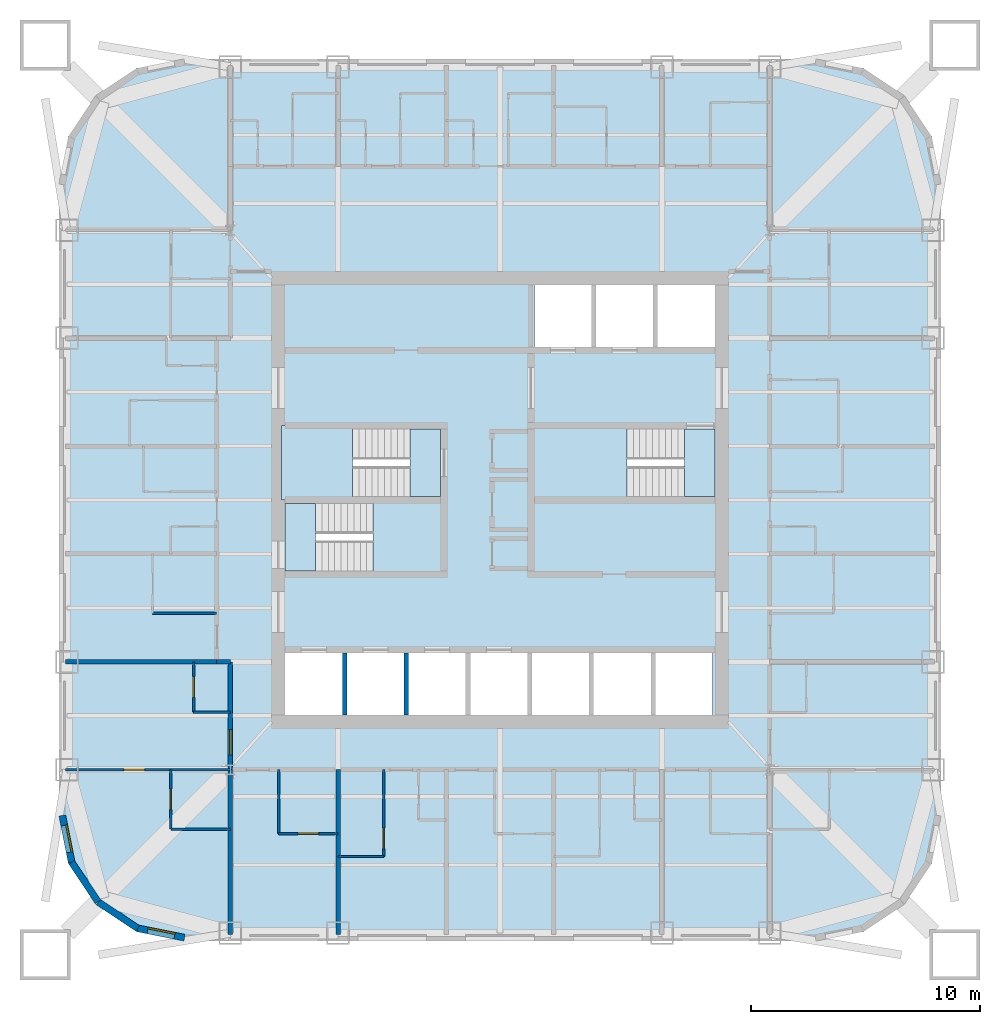
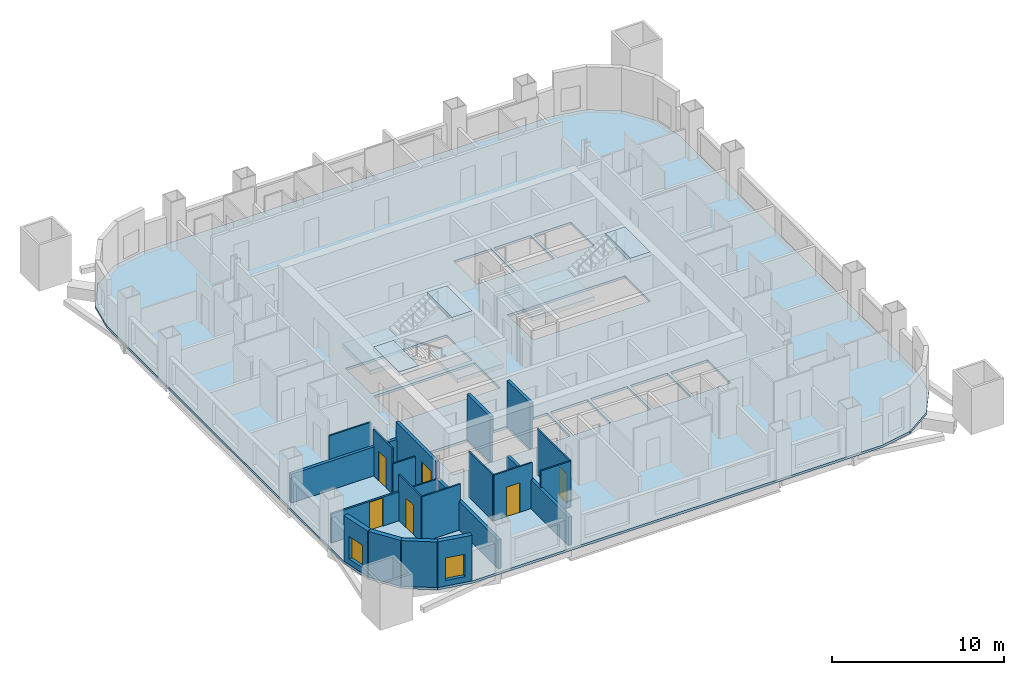
# One storey, part 2 of 9: 22 walls, 7 slabs, 6 doors, 2 windows, 8 openings, 3 elements without a shape of their own.
"""IFC4 building model written with IfcOpenShell, lengths in metres."""

from ifc_helpers import new_model, si_unit, direction, frame, frame_2d, origin, place, context, subcontext, project, spatial, polyline, rectangle, outline, extrude, material, layer, layer_set, type_object, element, fill, aggregate, save


model = new_model("IFC4")

# Units and contexts
model_context = context("Model", 3, precision=1e-05, world=origin(), true_north=direction((0.0, 1.0)))
body_context = subcontext(model_context, "Body", "Model", "MODEL_VIEW")
ifc_project = project(units=[si_unit("LENGTHUNIT", "METRE"), si_unit("AREAUNIT", "SQUARE_METRE"), si_unit("VOLUMEUNIT", "CUBIC_METRE"), si_unit("PLANEANGLEUNIT", "RADIAN"), si_unit("MASSUNIT", "GRAM", prefix="KILO")], contexts=[model_context])

# Site, building, storey
site_placement = place(None, origin())
site = spatial("IfcSite", under=ifc_project, at=site_placement, CompositionType="ELEMENT")
building_placement = place(site_placement, origin())
building = spatial("IfcBuilding", under=site, at=building_placement, Name="Turquesa Mirador Hotel Tower", CompositionType="ELEMENT")
storey_placement = place(building_placement, frame((0.0, 0.0, 217.800048828125)))
storey = spatial("IfcBuildingStorey", under=building, at=storey_placement, Name="L59", CompositionType="ELEMENT", Elevation=217.800048828125)

# Slab
ifc_material_1 = material(Name="Concrete C28/35", Category="concrete")
ifc_layer_1 = layer(ifc_material_1, 0.169921875)
ifc_layer_set_1 = layer_set([ifc_layer_1], Name="COMPOSITE FLOOR SLAB 170")
slab_type_1 = type_object("IfcSlabType", Name="COMPOSITE FLOOR SLAB 170", PredefinedType="FLOOR", material=ifc_layer_set_1)
slab_1_placement = place(storey_placement, frame((0.0, 0.0, -0.170166015625)))
element("IfcSlab", 1, at=slab_1_placement, inside=storey, type_object=slab_type_1, Name="Floor slab L59", PredefinedType="FLOOR", context=body_context, shape_type="SweptSolid", body=[
    extrude(outline(polyline([(68.800048828125, 25.699951171875), (70.90478515625, 26.11865234375), (72.689208984375, 27.310791015625), (73.88134765625, 29.09521484375), (74.300048828125, 31.199951171875), (74.300048828125, 58.800048828125), (73.88134765625, 60.90478515625), (72.689208984375, 62.689208984375), (70.90478515625, 63.88134765625), (68.800048828125, 64.300048828125), (41.199951171875, 64.300048828125), (39.09521484375, 63.88134765625), (37.310791015625, 62.689208984375), (36.11865234375, 60.90478515625), (35.699951171875, 58.800048828125), (35.699951171875, 31.199951171875), (36.11865234375, 29.09521484375), (37.310791015625, 27.310791015625), (39.09521484375, 26.11865234375), (41.199951171875, 25.699951171875), (68.800048828125, 25.699951171875)]), holes=[polyline([(56.5, 51.699951171875), (59.0, 51.699951171875), (59.0, 54.39990234375), (56.5, 54.39990234375), (56.5, 51.699951171875)]), polyline([(59.199951171875, 51.699951171875), (61.699951171875, 51.699951171875), (61.699951171875, 54.39990234375), (59.199951171875, 54.39990234375), (59.199951171875, 51.699951171875)]), polyline([(45.60009765625, 35.60009765625), (48.10009765625, 35.60009765625), (48.10009765625, 38.300048828125), (45.60009765625, 38.300048828125), (45.60009765625, 35.60009765625)]), polyline([(48.300048828125, 35.60009765625), (50.800048828125, 35.60009765625), (50.800048828125, 38.300048828125), (48.300048828125, 38.300048828125), (48.300048828125, 35.60009765625)]), polyline([(51.0, 35.60009765625), (53.5, 35.60009765625), (53.5, 38.300048828125), (51.0, 38.300048828125), (51.0, 35.60009765625)]), polyline([(53.699951171875, 35.60009765625), (56.199951171875, 35.60009765625), (56.199951171875, 38.300048828125), (53.699951171875, 38.300048828125), (53.699951171875, 35.60009765625)]), polyline([(56.39990234375, 35.60009765625), (58.89990234375, 35.60009765625), (58.89990234375, 38.300048828125), (56.39990234375, 38.300048828125), (56.39990234375, 35.60009765625)]), polyline([(59.10009765625, 35.60009765625), (61.60009765625, 35.60009765625), (61.60009765625, 38.300048828125), (59.10009765625, 38.300048828125), (59.10009765625, 35.60009765625)]), polyline([(61.800048828125, 35.60009765625), (64.300048828125, 35.60009765625), (64.300048828125, 38.300048828125), (61.800048828125, 38.300048828125), (61.800048828125, 35.60009765625)]), polyline([(45.60009765625, 45.14990234375), (52.39990234375, 45.14990234375), (52.39990234375, 48.10009765625), (45.60009765625, 48.10009765625), (45.60009765625, 45.14990234375)]), polyline([(45.60009765625, 41.89990234375), (52.39990234375, 41.89990234375), (52.39990234375, 44.85009765625), (45.60009765625, 44.85009765625), (45.60009765625, 41.89990234375)]), polyline([(56.5, 45.14990234375), (64.39990234375, 45.14990234375), (64.39990234375, 48.10009765625), (56.5, 48.10009765625), (56.5, 45.14990234375)]), polyline([(61.89990234375, 51.699951171875), (64.39990234375, 51.699951171875), (64.39990234375, 54.39990234375), (61.89990234375, 54.39990234375), (61.89990234375, 51.699951171875)])]), origin(), (0.0, 0.0, 1.0), 0.170166015625),
])

# Stair, slabs
ifc_material_2 = material(Name="Concrete C35/45", Category="concrete")
stair_type = type_object("IfcStairType", Name="ESCAPE STAIR CORE", PredefinedType="HALF_TURN_STAIR", material=ifc_material_2)
stair_1_placement = place(storey_placement, origin())
stair_1 = element("IfcStair", 2, at=stair_1_placement, inside=storey, type_object=stair_type, Name="Stair ST1 L59 to L60", PredefinedType="HALF_TURN_STAIR")
ifc_material_3 = material(Name="Concrete C35/45", Category="concrete")
ifc_layer_2 = layer(ifc_material_3, 0.300048828125)
ifc_layer_set_2 = layer_set([ifc_layer_2], Name="STAIR LANDING 300")
slab_type_2 = type_object("IfcSlabType", Name="STAIR LANDING 300", PredefinedType="LANDING", material=ifc_layer_set_2)
slab_2_placement = place(storey_placement, frame((0.0, 0.0, 1.449951171875)))
slab_2 = element("IfcSlab", 3, at=slab_2_placement, type_object=slab_type_2, Name="ST1 landing 1", PredefinedType="LANDING", context=body_context, shape_type="SweptSolid", body=[
    extrude(outline(polyline([(45.449951171875, 45.0), (48.550048828125, 45.0), (48.550048828125, 48.25), (45.449951171875, 48.25), (45.449951171875, 45.0)])), origin(), (0.0, 0.0, 1.0), 0.300048828125),
])
slab_3_placement = place(storey_placement, frame((0.0, 0.0, 3.199951171875)))
slab_3 = element("IfcSlab", 4, at=slab_3_placement, type_object=slab_type_2, Name="ST1 landing 2", PredefinedType="LANDING", context=body_context, shape_type="SweptSolid", body=[
    extrude(outline(polyline([(51.070068359375, 45.14990234375), (52.39990234375, 45.14990234375), (52.39990234375, 48.10009765625), (51.070068359375, 48.10009765625), (51.070068359375, 45.14990234375)])), origin(), (0.0, 0.0, 1.0), 0.300048828125),
])
aggregate(stair_1, [slab_2, slab_3])

stair_2_placement = place(storey_placement, origin())
stair_2 = element("IfcStair", 5, at=stair_2_placement, inside=storey, type_object=stair_type, Name="Stair ST2 L59 to L60", PredefinedType="HALF_TURN_STAIR")
slab_4_placement = place(storey_placement, frame((0.0, 0.0, 1.449951171875)))
slab_4 = element("IfcSlab", 6, at=slab_4_placement, type_object=slab_type_2, Name="ST2 landing 1", PredefinedType="LANDING", context=body_context, shape_type="SweptSolid", body=[
    extrude(outline(polyline([(52.550048828125, 45.0), (49.449951171875, 45.0), (49.449951171875, 41.75), (52.550048828125, 41.75), (52.550048828125, 45.0)])), origin(), (0.0, 0.0, 1.0), 0.300048828125),
])
slab_5_placement = place(storey_placement, frame((0.0, 0.0, 3.199951171875)))
slab_5 = element("IfcSlab", 7, at=slab_5_placement, type_object=slab_type_2, Name="ST2 landing 2", PredefinedType="LANDING", context=body_context, shape_type="SweptSolid", body=[
    extrude(outline(polyline([(46.929931640625, 44.85009765625), (45.60009765625, 44.85009765625), (45.60009765625, 41.89990234375), (46.929931640625, 41.89990234375), (46.929931640625, 44.85009765625)])), origin(), (0.0, 0.0, 1.0), 0.300048828125),
])
aggregate(stair_2, [slab_4, slab_5])

stair_3_placement = place(storey_placement, origin())
stair_3 = element("IfcStair", 8, at=stair_3_placement, inside=storey, type_object=stair_type, Name="Stair ST3 L59 to L60", PredefinedType="HALF_TURN_STAIR")
slab_6_placement = place(storey_placement, frame((0.0, 0.0, 1.449951171875)))
slab_6 = element("IfcSlab", 9, at=slab_6_placement, type_object=slab_type_2, Name="ST3 landing 1", PredefinedType="LANDING", context=body_context, shape_type="SweptSolid", body=[
    extrude(outline(polyline([(56.35009765625, 45.0), (60.550048828125, 45.0), (60.550048828125, 48.25), (56.35009765625, 48.25), (56.35009765625, 45.0)])), origin(), (0.0, 0.0, 1.0), 0.300048828125),
])
slab_7_placement = place(storey_placement, frame((0.0, 0.0, 3.199951171875)))
slab_7 = element("IfcSlab", 10, at=slab_7_placement, type_object=slab_type_2, Name="ST3 landing 2", PredefinedType="LANDING", context=body_context, shape_type="SweptSolid", body=[
    extrude(outline(polyline([(63.070068359375, 45.14990234375), (64.39990234375, 45.14990234375), (64.39990234375, 48.10009765625), (63.070068359375, 48.10009765625), (63.070068359375, 45.14990234375)])), origin(), (0.0, 0.0, 1.0), 0.300048828125),
])
aggregate(stair_3, [slab_6, slab_7])

# Walls
ifc_material_4 = material(Name="Gypsum board on steel studs", Category="steel")
ifc_layer_3 = layer(ifc_material_4, 0.10009765625)
ifc_layer_set_3 = layer_set([ifc_layer_3], Name="BATHROOM WALL 100")
wall_type_1 = type_object("IfcWallType", Name="BATHROOM WALL 100", PredefinedType="PARTITIONING", material=ifc_layer_set_3)
wall_1_placement = place(storey_placement, frame((40.60009765625, 33.199951171875, 0.0), z_axis=(0.0, 0.0, 1.0), x_axis=(1.0, 0.0, 0.0)))
element("IfcWall", 11, at=wall_1_placement, inside=storey, type_object=wall_type_1, Name="Partition L59 003", PredefinedType="PARTITIONING", context=body_context, shape_type="SweptSolid", body=[
    extrude(rectangle(XDim=2.599853515625, YDim=0.10009765625, at=frame_2d((1.2998046875, 0.0))), origin(), (0.0, 0.0, 1.0), 2.050048828125),
])
wall_2_placement = place(storey_placement, frame((40.60009765625, 30.60009765625, 0.0), z_axis=(0.0, 0.0, 1.0), x_axis=(1.0, 0.0, 0.0)))
element("IfcWall", 12, at=wall_2_placement, inside=storey, type_object=wall_type_1, Name="Partition L59 010", PredefinedType="PARTITIONING", context=body_context, shape_type="SweptSolid", body=[
    extrude(rectangle(XDim=2.599853515625, YDim=0.10009765625, at=frame_2d((1.2998046875, 0.0))), origin(), (0.0, 0.0, 1.0), 3.25),
])

# Wall, opening, door
wall_3_placement = place(storey_placement, frame((45.320068359375, 30.39990234375, 0.0), z_axis=(0.0, 0.0, 1.0), x_axis=(1.0, 0.0, 0.0)))
wall_3 = element("IfcWall", 13, at=wall_3_placement, inside=storey, type_object=wall_type_1, Name="Partition L59 012", PredefinedType="PARTITIONING", context=body_context, shape_type="SweptSolid", body=[
    extrude(rectangle(XDim=2.599853515625, YDim=0.10009765625, at=frame_2d((1.2998046875, 0.0))), origin(), (0.0, 0.0, 1.0), 3.25),
])
opening_1_placement = place(wall_3_placement, frame((0.85009765625, 0.0, 0.0)))
opening_1 = element("IfcOpeningElement", 14, at=opening_1_placement, cuts=wall_3, Name="Opening D02", PredefinedType="OPENING", context=body_context, shape_type="SweptSolid", body=[
    extrude(rectangle(XDim=0.89990234375, YDim=2.10009765625, at=frame_2d((0.449951171875, 1.050048828125))), frame((0.0, 0.06005859375, 0.0), z_axis=(0.0, -1.0, 0.0), x_axis=(1.0, 0.0, 0.0)), (0.0, 0.0, 1.0), 0.1201171875),
])
ifc_material_5 = material(Name="Timber veneered door", Category="wood")
door_type_1 = type_object("IfcDoorType", Name="DOOR 900X2100 EN-SUITE", OperationType="SINGLE_SWING_RIGHT", PredefinedType="DOOR", material=ifc_material_5)
door_1_placement = place(opening_1_placement, origin())
door_1 = element("IfcDoor", 15, at=door_1_placement, inside=storey, type_object=door_type_1, Name="Door 5906B", OperationType="SINGLE_SWING_RIGHT", OverallHeight=2.10009765625, OverallWidth=0.89990234375, PredefinedType="DOOR", context=body_context, shape_type="SweptSolid", body=[
    extrude(rectangle(XDim=0.89990234375, YDim=2.10009765625, at=frame_2d((0.449951171875, 1.050048828125))), frame((0.0, 0.02490234375, 0.0), z_axis=(0.0, -1.0, 0.0), x_axis=(1.0, 0.0, 0.0)), (0.0, 0.0, 1.0), 0.050048828125),
])
fill(opening_1, door_1)

# Walls
wall_4_placement = place(storey_placement, frame((47.919921875, 29.39990234375, 0.0), z_axis=(0.0, 0.0, 1.0), x_axis=(1.0, 0.0, 0.0)))
element("IfcWall", 16, at=wall_4_placement, inside=storey, type_object=wall_type_1, Name="Partition L59 015", PredefinedType="PARTITIONING", context=body_context, shape_type="SweptSolid", body=[
    extrude(rectangle(XDim=2.0, YDim=0.10009765625, at=frame_2d((1.0, 0.0))), origin(), (0.0, 0.0, 1.0), 3.25),
])
wall_5_placement = place(storey_placement, frame((39.800048828125, 40.0400390625, 0.0), z_axis=(0.0, 0.0, 1.0), x_axis=(1.0, 0.0, 0.0)))
element("IfcWall", 17, at=wall_5_placement, inside=storey, type_object=wall_type_1, Name="Partition L59 019", PredefinedType="PARTITIONING", context=body_context, shape_type="SweptSolid", body=[
    extrude(rectangle(XDim=2.800048828125, YDim=0.10009765625, at=frame_2d((1.39990234375, 0.0))), origin(), (0.0, 0.0, 1.0), 2.13232421875),
])
wall_6_placement = place(storey_placement, frame((41.60009765625, 35.719970703125, 0.0), z_axis=(0.0, 0.0, 1.0), x_axis=(1.0, 0.0, 0.0)))
element("IfcWall", 18, at=wall_6_placement, inside=storey, type_object=wall_type_1, Name="Partition L59 024", PredefinedType="PARTITIONING", context=body_context, shape_type="SweptSolid", body=[
    extrude(rectangle(XDim=1.599853515625, YDim=0.10009765625, at=frame_2d((0.7998046875, 0.0))), origin(), (0.0, 0.0, 1.0), 2.13232421875),
])

# Wall, opening, door
wall_7_placement = place(storey_placement, frame((41.60009765625, 35.719970703125, 0.0), z_axis=(0.0, 0.0, 1.0), x_axis=(0.0, 1.0, 0.0)))
wall_7 = element("IfcWall", 19, at=wall_7_placement, inside=storey, type_object=wall_type_1, Name="Partition L59 061", PredefinedType="PARTITIONING", context=body_context, shape_type="SweptSolid", body=[
    extrude(rectangle(XDim=2.199951171875, YDim=0.10009765625, at=frame_2d((1.10009765625, 0.0))), origin(), (0.0, 0.0, 1.0), 3.25),
])
opening_2_placement = place(wall_7_placement, frame((0.64990234375, 0.0, 0.0)))
opening_2 = element("IfcOpeningElement", 20, at=opening_2_placement, cuts=wall_7, Name="Opening D06", PredefinedType="OPENING", context=body_context, shape_type="SweptSolid", body=[
    extrude(rectangle(XDim=0.89990234375, YDim=2.10009765625, at=frame_2d((0.449951171875, 1.050048828125))), frame((0.0, 0.06005859375, 0.0), z_axis=(0.0, -1.0, 0.0), x_axis=(1.0, 0.0, 0.0)), (0.0, 0.0, 1.0), 0.1201171875),
])
ifc_material_6 = material(Name="Laminate door", Category="wood")
door_type_2 = type_object("IfcDoorType", Name="DOOR 900X2100 WC", OperationType="SINGLE_SWING_LEFT", PredefinedType="DOOR", material=ifc_material_6)
door_2_placement = place(opening_2_placement, origin())
door_2 = element("IfcDoor", 21, at=door_2_placement, inside=storey, type_object=door_type_2, Name="Door 5919W", OperationType="SINGLE_SWING_LEFT", OverallHeight=2.10009765625, OverallWidth=0.89990234375, PredefinedType="DOOR", context=body_context, shape_type="SweptSolid", body=[
    extrude(rectangle(XDim=0.89990234375, YDim=2.10009765625, at=frame_2d((0.449951171875, 1.050048828125))), frame((0.0, 0.02490234375, 0.0), z_axis=(0.0, -1.0, 0.0), x_axis=(1.0, 0.0, 0.0)), (0.0, 0.0, 1.0), 0.050048828125),
])
fill(opening_2, door_2)

wall_8_placement = place(storey_placement, frame((40.60009765625, 30.60009765625, 0.0), z_axis=(0.0, 0.0, 1.0), x_axis=(0.0, 1.0, 0.0)))
wall_8 = element("IfcWall", 22, at=wall_8_placement, inside=storey, type_object=wall_type_1, Name="Partition L59 062", PredefinedType="PARTITIONING", context=body_context, shape_type="SweptSolid", body=[
    extrude(rectangle(XDim=2.599853515625, YDim=0.10009765625, at=frame_2d((1.2998046875, 0.0))), origin(), (0.0, 0.0, 1.0), 3.25),
])
opening_3_placement = place(wall_8_placement, frame((0.85009765625, 0.0, 0.0)))
opening_3 = element("IfcOpeningElement", 23, at=opening_3_placement, cuts=wall_8, Name="Opening D02", PredefinedType="OPENING", context=body_context, shape_type="SweptSolid", body=[
    extrude(rectangle(XDim=0.89990234375, YDim=2.10009765625, at=frame_2d((0.449951171875, 1.050048828125))), frame((0.0, 0.06005859375, 0.0), z_axis=(0.0, -1.0, 0.0), x_axis=(1.0, 0.0, 0.0)), (0.0, 0.0, 1.0), 0.1201171875),
])
door_3_placement = place(opening_3_placement, origin())
door_3 = element("IfcDoor", 24, at=door_3_placement, inside=storey, type_object=door_type_1, Name="Door 5919B", OperationType="SINGLE_SWING_RIGHT", OverallHeight=2.10009765625, OverallWidth=0.89990234375, PredefinedType="DOOR", context=body_context, shape_type="SweptSolid", body=[
    extrude(rectangle(XDim=0.89990234375, YDim=2.10009765625, at=frame_2d((0.449951171875, 1.050048828125))), frame((0.0, 0.02490234375, 0.0), z_axis=(0.0, -1.0, 0.0), x_axis=(1.0, 0.0, 0.0)), (0.0, 0.0, 1.0), 0.050048828125),
])
fill(opening_3, door_3)

wall_9_placement = place(storey_placement, frame((49.919921875, 29.39990234375, 0.0), z_axis=(0.0, 0.0, 1.0), x_axis=(0.0, 1.0, 0.0)))
wall_9 = element("IfcWall", 25, at=wall_9_placement, inside=storey, type_object=wall_type_1, Name="Partition L59 074", PredefinedType="PARTITIONING", context=body_context, shape_type="SweptSolid", body=[
    extrude(rectangle(XDim=3.800048828125, YDim=0.10009765625, at=frame_2d((1.89990234375, 0.0))), origin(), (0.0, 0.0, 1.0), 3.25),
])
opening_4_placement = place(wall_9_placement, frame((0.35009765625, 0.0, 0.0)))
opening_4 = element("IfcOpeningElement", 26, at=opening_4_placement, cuts=wall_9, Name="Opening D02", PredefinedType="OPENING", context=body_context, shape_type="SweptSolid", body=[
    extrude(rectangle(XDim=0.89990234375, YDim=2.10009765625, at=frame_2d((0.449951171875, 1.050048828125))), frame((0.0, 0.06005859375, 0.0), z_axis=(0.0, -1.0, 0.0), x_axis=(1.0, 0.0, 0.0)), (0.0, 0.0, 1.0), 0.1201171875),
])
door_4_placement = place(opening_4_placement, origin())
door_4 = element("IfcDoor", 27, at=door_4_placement, inside=storey, type_object=door_type_1, Name="Door 5907B", OperationType="SINGLE_SWING_RIGHT", OverallHeight=2.10009765625, OverallWidth=0.89990234375, PredefinedType="DOOR", context=body_context, shape_type="SweptSolid", body=[
    extrude(rectangle(XDim=0.89990234375, YDim=2.10009765625, at=frame_2d((0.449951171875, 1.050048828125))), frame((0.0, 0.02490234375, 0.0), z_axis=(0.0, -1.0, 0.0), x_axis=(1.0, 0.0, 0.0)), (0.0, 0.0, 1.0), 0.050048828125),
])
fill(opening_4, door_4)

# Walls
wall_10_placement = place(storey_placement, frame((45.320068359375, 30.39990234375, 0.0), z_axis=(0.0, 0.0, 1.0), x_axis=(0.0, 1.0, 0.0)))
element("IfcWall", 28, at=wall_10_placement, inside=storey, type_object=wall_type_1, Name="Partition L59 079", PredefinedType="PARTITIONING", context=body_context, shape_type="SweptSolid", body=[
    extrude(rectangle(XDim=2.800048828125, YDim=0.10009765625, at=frame_2d((1.39990234375, 0.0))), origin(), (0.0, 0.0, 1.0), 3.25),
])
ifc_material_7 = material(Name="Fire-rated gypsum board on steel studs", Category="steel")
ifc_layer_4 = layer(ifc_material_7, 0.199951171875)
ifc_layer_set_4 = layer_set([ifc_layer_4], Name="CORRIDOR WALL 200")
wall_type_2 = type_object("IfcWallType", Name="CORRIDOR WALL 200", PredefinedType="PARTITIONING", material=ifc_layer_set_4)
wall_11_placement = place(storey_placement, frame((42.60009765625, 37.919921875, 0.0), z_axis=(0.0, 0.0, 1.0), x_axis=(1.0, 0.0, 0.0)))
element("IfcWall", 29, at=wall_11_placement, inside=storey, type_object=wall_type_2, Name="Partition L59 021", PredefinedType="PARTITIONING", context=body_context, shape_type="SweptSolid", body=[
    extrude(rectangle(XDim=0.599853515625, YDim=0.199951171875, at=frame_2d((0.2998046875, 0.0))), origin(), (0.0, 0.0, 1.0), 2.050048828125),
])

# Wall, opening, door
wall_12_placement = place(storey_placement, frame((43.199951171875, 33.199951171875, 0.0), z_axis=(0.0, 0.0, 1.0), x_axis=(0.0, 1.0, 0.0)))
wall_12 = element("IfcWall", 30, at=wall_12_placement, inside=storey, type_object=wall_type_2, Name="Partition L59 056", PredefinedType="PARTITIONING", context=body_context, shape_type="SweptSolid", body=[
    extrude(rectangle(XDim=4.719970703125, YDim=0.199951171875, at=frame_2d((2.35986328125, 0.0))), origin(), (0.0, 0.0, 1.0), 3.25),
])
opening_5_placement = place(wall_12_placement, frame((0.64990234375, 0.0, 0.0)))
opening_5 = element("IfcOpeningElement", 31, at=opening_5_placement, cuts=wall_12, Name="Opening D15", PredefinedType="OPENING", context=body_context, shape_type="SweptSolid", body=[
    extrude(rectangle(XDim=1.10009765625, YDim=2.199951171875, at=frame_2d((0.550048828125, 1.10009765625))), frame((0.0, 0.10986328125, 0.0), z_axis=(0.0, -1.0, 0.0), x_axis=(1.0, 0.0, 0.0)), (0.0, 0.0, 1.0), 0.219970703125),
])
ifc_material_8 = material(Name="Timber veneered fire door", Category="wood")
door_type_3 = type_object("IfcDoorType", Name="DOOR 1100X2200 SUITE ENTRY", OperationType="SINGLE_SWING_LEFT", PredefinedType="DOOR", material=ifc_material_8)
door_5_placement = place(opening_5_placement, origin())
door_5 = element("IfcDoor", 32, at=door_5_placement, inside=storey, type_object=door_type_3, Name="Door 5919", OperationType="SINGLE_SWING_LEFT", OverallHeight=2.199951171875, OverallWidth=1.10009765625, PredefinedType="DOOR", context=body_context, shape_type="SweptSolid", body=[
    extrude(rectangle(XDim=1.10009765625, YDim=2.199951171875, at=frame_2d((0.550048828125, 1.10009765625))), frame((0.0, 0.02490234375, 0.0), z_axis=(0.0, -1.0, 0.0), x_axis=(1.0, 0.0, 0.0)), (0.0, 0.0, 1.0), 0.050048828125),
])
fill(opening_5, door_5)

# Wall, opening, window
ifc_material_9 = material(Name="Limestone cladding on concrete block", Category="masonry")
ifc_layer_5 = layer(ifc_material_9, 0.300048828125)
ifc_layer_set_5 = layer_set([ifc_layer_5], Name="FACADE WALL 300 STONE SCREEN")
wall_type_3 = type_object("IfcWallType", Name="FACADE WALL 300 STONE SCREEN", PredefinedType="SOLIDWALL", material=ifc_layer_set_5)
wall_13_placement = place(storey_placement, frame((35.85009765625, 31.199951171875, 0.0), z_axis=(0.0, 0.0, 1.0), x_axis=(0.195081421501, -0.980787050784, 0.0)))
wall_13 = element("IfcWall", 33, at=wall_13_placement, inside=storey, type_object=wall_type_3, Name="Facade wall L59 15", PredefinedType="SOLIDWALL", context=body_context, shape_type="SweptSolid", body=[
    extrude(rectangle(XDim=2.08740234375, YDim=0.300048828125, at=frame_2d((1.043701171875, 0.0))), origin(), (0.0, 0.0, 1.0), 3.25),
])
opening_6_placement = place(wall_13_placement, frame((0.443603515625, 0.0, 0.39990234375)))
opening_6 = element("IfcOpeningElement", 34, at=opening_6_placement, cuts=wall_13, Name="Opening WN8", PredefinedType="OPENING", context=body_context, shape_type="SweptSolid", body=[
    extrude(rectangle(XDim=1.199951171875, YDim=1.60009765625, at=frame_2d((0.60009765625, 0.800048828125))), frame((0.0, 0.159912109375, 0.0), z_axis=(0.0, -1.0, 0.0), x_axis=(1.0, 0.0, 0.0)), (0.0, 0.0, 1.0), 0.320068359375),
])
ifc_material_10 = material(Name="Ceramic-fritted laminated glass", Category="glass")
window_type = type_object("IfcWindowType", Name="FRITTED CORNER WINDOW 1200X1600", PartitioningType="DOUBLE_PANEL_HORIZONTAL", PredefinedType="WINDOW", material=ifc_material_10)
window_1_placement = place(opening_6_placement, origin())
window_1 = element("IfcWindow", 35, at=window_1_placement, inside=storey, type_object=window_type, Name="Window L59", OverallHeight=1.60009765625, OverallWidth=1.199951171875, PartitioningType="SINGLE_PANEL", PredefinedType="WINDOW", context=body_context, shape_type="SweptSolid", body=[
    extrude(rectangle(XDim=1.199951171875, YDim=1.60009765625, at=frame_2d((0.60009765625, 0.800048828125))), frame((0.0, 0.130126953125, 0.0), z_axis=(0.0, -1.0, 0.0), x_axis=(1.0, 0.0, 0.0)), (0.0, 0.0, 1.0), 0.06005859375),
])
fill(opening_6, window_1)

# Walls
for number, where, z_axis, x_axis, name in (
    (36, (36.25732421875, 29.152587890625, 0.0), (0.0, 0.0, 1.0), (0.555563607591, -0.831474039234, 0.0), "Facade wall L59 16"),
    (37, (37.4169921875, 27.4169921875, 0.0), (0.0, 0.0, 1.0), (0.831474039234, -0.555563607591, 0.0), "Facade wall L59 17"),
):
    element("IfcWall", number, at=place(storey_placement, frame(where, z_axis=z_axis, x_axis=x_axis)), inside=storey, type_object=wall_type_3, Name=name, PredefinedType="SOLIDWALL", context=body_context, shape_type="SweptSolid", body=[
        extrude(rectangle(XDim=2.08740234375, YDim=0.300048828125, at=frame_2d((1.043701171875, 0.0))), origin(), (0.0, 0.0, 1.0), 3.25),
    ])

# Wall, opening, window
wall_14_placement = place(storey_placement, frame((39.152587890625, 26.25732421875, 0.0), z_axis=(0.0, 0.0, 1.0), x_axis=(0.980787050784, -0.195081421501, 0.0)))
wall_14 = element("IfcWall", 38, at=wall_14_placement, inside=storey, type_object=wall_type_3, Name="Facade wall L59 18", PredefinedType="SOLIDWALL", context=body_context, shape_type="SweptSolid", body=[
    extrude(rectangle(XDim=2.08740234375, YDim=0.300048828125, at=frame_2d((1.043701171875, 0.0))), origin(), (0.0, 0.0, 1.0), 3.25),
])
opening_7_placement = place(wall_14_placement, frame((0.443603515625, 0.0, 0.39990234375)))
opening_7 = element("IfcOpeningElement", 39, at=opening_7_placement, cuts=wall_14, Name="Opening WN8", PredefinedType="OPENING", context=body_context, shape_type="SweptSolid", body=[
    extrude(rectangle(XDim=1.199951171875, YDim=1.60009765625, at=frame_2d((0.60009765625, 0.800048828125))), frame((0.0, 0.159912109375, 0.0), z_axis=(0.0, -1.0, 0.0), x_axis=(1.0, 0.0, 0.0)), (0.0, 0.0, 1.0), 0.320068359375),
])
window_2_placement = place(opening_7_placement, origin())
window_2 = element("IfcWindow", 40, at=window_2_placement, inside=storey, type_object=window_type, Name="Window L59", OverallHeight=1.60009765625, OverallWidth=1.199951171875, PartitioningType="SINGLE_PANEL", PredefinedType="WINDOW", context=body_context, shape_type="SweptSolid", body=[
    extrude(rectangle(XDim=1.199951171875, YDim=1.60009765625, at=frame_2d((0.60009765625, 0.800048828125))), frame((0.0, 0.130126953125, 0.0), z_axis=(0.0, -1.0, 0.0), x_axis=(1.0, 0.0, 0.0)), (0.0, 0.0, 1.0), 0.06005859375),
])
fill(opening_7, window_2)

# Walls
ifc_material_11 = material(Name="Fire-rated gypsum shaft wall on steel studs", Category="steel")
ifc_layer_6 = layer(ifc_material_11, 0.199951171875)
ifc_layer_set_6 = layer_set([ifc_layer_6], Name="LIFT SHAFT DIVIDER 200")
wall_type_4 = type_object("IfcWallType", Name="LIFT SHAFT DIVIDER 200", PredefinedType="PARTITIONING", material=ifc_layer_set_6)
for number, where, z_axis, x_axis, name in (
    (41, (48.199951171875, 35.60009765625, 0.0), (0.0, 0.0, 1.0), (0.0, 1.0, 0.0), "Lift shaft divider"),
    (42, (50.89990234375, 35.60009765625, 0.0), (0.0, 0.0, 1.0), (0.0, 1.0, 0.0), "Lift shaft divider"),
):
    element("IfcWall", number, at=place(storey_placement, frame(where, z_axis=z_axis, x_axis=x_axis)), inside=storey, type_object=wall_type_4, Name=name, PredefinedType="PARTITIONING", context=body_context, shape_type="SweptSolid", body=[
        extrude(rectangle(XDim=2.699951171875, YDim=0.199951171875, at=frame_2d((1.35009765625, 0.0))), origin(), (0.0, 0.0, 1.0), 3.25),
    ])
ifc_material_12 = material(Name="Fire-rated gypsum board on steel studs", Category="steel")
ifc_layer_7 = layer(ifc_material_12, 0.199951171875)
ifc_layer_set_7 = layer_set([ifc_layer_7], Name="PARTY WALL 200")
wall_type_5 = type_object("IfcWallType", Name="PARTY WALL 200", PredefinedType="PARTITIONING", material=ifc_layer_set_7)
wall_15_placement = place(storey_placement, frame((36.0, 37.919921875, 0.0), z_axis=(0.0, 0.0, 1.0), x_axis=(1.0, 0.0, 0.0)))
element("IfcWall", 43, at=wall_15_placement, inside=storey, type_object=wall_type_5, Name="Partition L59 022", PredefinedType="PARTITIONING", context=body_context, shape_type="SweptSolid", body=[
    extrude(rectangle(XDim=6.60009765625, YDim=0.199951171875, at=frame_2d((3.300048828125, 0.0))), origin(), (0.0, 0.0, 1.0), 2.050048828125),
])
for number, where, z_axis, x_axis, name in (
    (44, (43.199951171875, 26.0, 0.0), (0.0, 0.0, 1.0), (0.0, 1.0, 0.0), "Partition L59 058"),
    (45, (47.919921875, 26.0, 0.0), (0.0, 0.0, 1.0), (0.0, 1.0, 0.0), "Partition L59 076"),
):
    element("IfcWall", number, at=place(storey_placement, frame(where, z_axis=z_axis, x_axis=x_axis)), inside=storey, type_object=wall_type_5, Name=name, PredefinedType="PARTITIONING", context=body_context, shape_type="SweptSolid", body=[
        extrude(rectangle(XDim=7.199951171875, YDim=0.199951171875, at=frame_2d((3.60009765625, 0.0))), origin(), (0.0, 0.0, 1.0), 2.050048828125),
    ])

# Wall, opening, door
ifc_material_13 = material(Name="Acoustic gypsum board on steel studs", Category="steel")
ifc_layer_8 = layer(ifc_material_13, 0.125)
ifc_layer_set_8 = layer_set([ifc_layer_8], Name="SUITE PARTITION 125")
wall_type_6 = type_object("IfcWallType", Name="SUITE PARTITION 125", PredefinedType="PARTITIONING", material=ifc_layer_set_8)
wall_16_placement = place(storey_placement, frame((36.0, 33.199951171875, 0.0), z_axis=(0.0, 0.0, 1.0), x_axis=(1.0, 0.0, 0.0)))
wall_16 = element("IfcWall", 46, at=wall_16_placement, inside=storey, type_object=wall_type_6, Name="Partition L59 006", PredefinedType="PARTITIONING", context=body_context, shape_type="SweptSolid", body=[
    extrude(rectangle(XDim=4.60009765625, YDim=0.125, at=frame_2d((2.300048828125, 0.0))), origin(), (0.0, 0.0, 1.0), 2.050048828125),
])
opening_8_placement = place(wall_16_placement, frame((2.550048828125, 0.0, 0.0)))
opening_8 = element("IfcOpeningElement", 47, at=opening_8_placement, cuts=wall_16, Name="Opening D24", PredefinedType="OPENING", context=body_context, shape_type="SweptSolid", body=[
    extrude(rectangle(XDim=0.89990234375, YDim=2.0, at=frame_2d((0.449951171875, 1.0))), frame((0.0, 0.072509765625, 0.0), z_axis=(0.0, -1.0, 0.0), x_axis=(1.0, 0.0, 0.0)), (0.0, 0.0, 1.0), 0.14501953125),
])
ifc_material_14 = material(Name="Timber veneered door", Category="wood")
door_type_4 = type_object("IfcDoorType", Name="DOOR 900X2000 SUITE INTERNAL", OperationType="SINGLE_SWING_LEFT", PredefinedType="DOOR", material=ifc_material_14)
door_6_placement = place(opening_8_placement, origin())
door_6 = element("IfcDoor", 48, at=door_6_placement, inside=storey, type_object=door_type_4, Name="Door 5919R", OperationType="SINGLE_SWING_LEFT", OverallHeight=2.0, OverallWidth=0.89990234375, PredefinedType="DOOR", context=body_context, shape_type="SweptSolid", body=[
    extrude(rectangle(XDim=0.89990234375, YDim=2.0, at=frame_2d((0.449951171875, 1.0))), frame((0.0, 0.02490234375, 0.0), z_axis=(0.0, -1.0, 0.0), x_axis=(1.0, 0.0, 0.0)), (0.0, 0.0, 1.0), 0.050048828125),
])
fill(opening_8, door_6)

save(model, "model.ifc")
